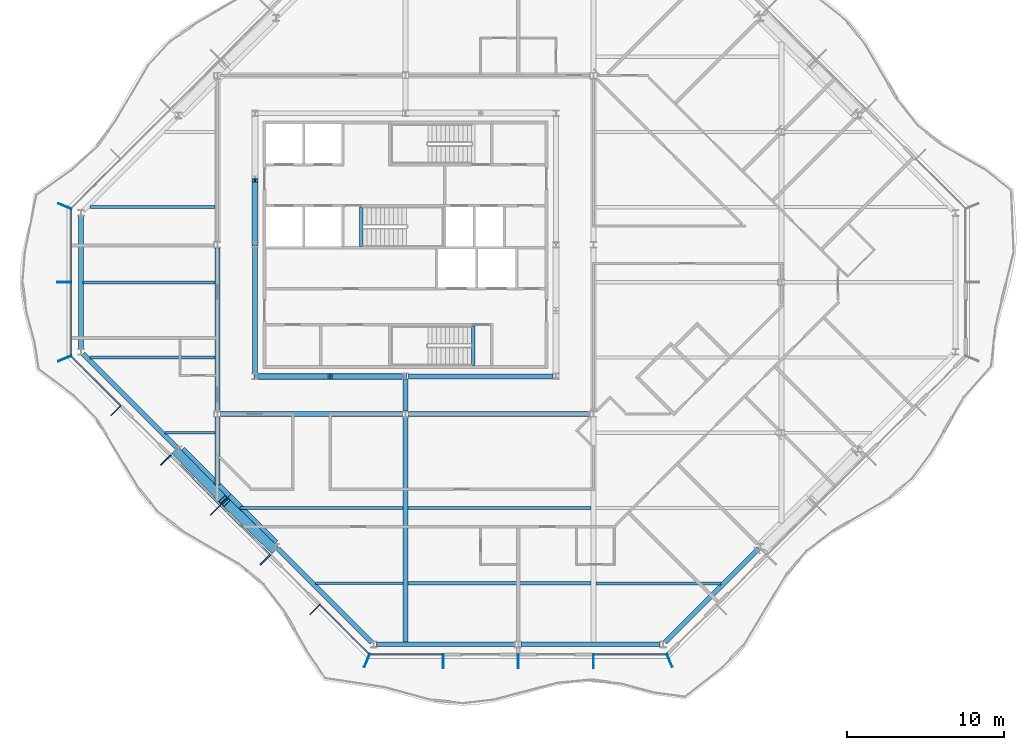
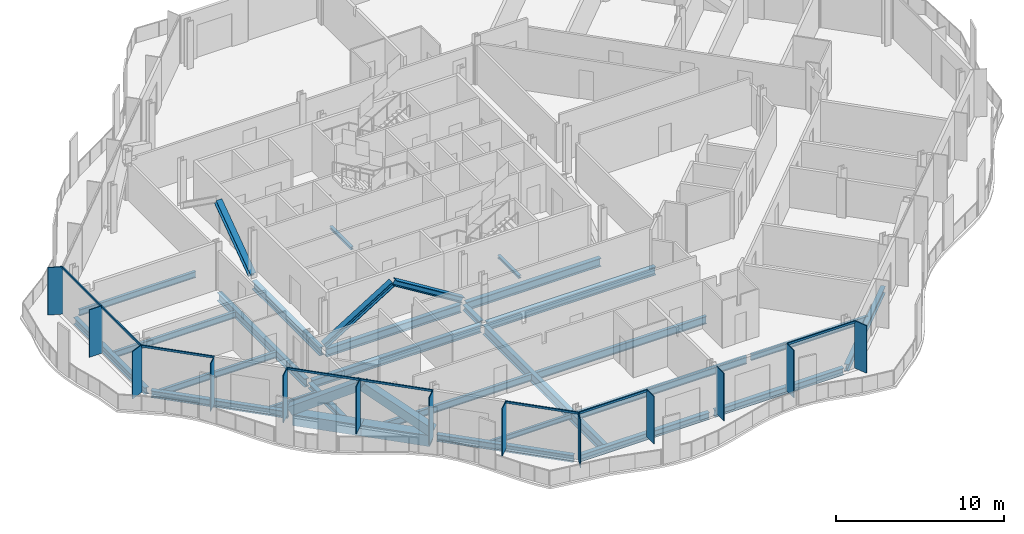
# One storey, part 3 of 17: 28 beams, 26 members, 4 elements without a shape of their own.
"""IFC4 building model written with IfcOpenShell, lengths in metres."""

import ifcopenshell
import ifcopenshell.guid

model = None  # the IFC model being written
_history = None  # IfcOwnerHistory: only IFC2X3 demands one
_inside = {}  # id of a spatial element -> (the spatial element, [elements in it])
_under = {}  # id of a project, library or spatial element -> (it, [spatial elements below it])
_declared = {}  # id of a project -> (the project, [libraries it declares])
_typed = {}  # id of a type object -> (the type object, [elements of that type])
_made_of = {}  # id of a material, layer set ... -> (it, [elements and type objects made of it])


def new_model(schema):
    """Start an empty IFC model of exactly this schema.

    Asked for "IFC4X3", IfcOpenShell would pick the latest addendum, in which some entities
    have other attributes; the version numbers below select the first issue.
    IFC2X3 requires an IfcOwnerHistory on every rooted entity: one is made here for all.
    """
    global model, _history
    if schema == "IFC4X3":
        model = ifcopenshell.file(schema_version=(4, 3, 0, 0))
    else:
        model = ifcopenshell.file(schema=schema)
    _inside.clear()
    _under.clear()
    _declared.clear()
    _typed.clear()
    _made_of.clear()
    _history = None
    if model.schema == "IFC2X3":
        org = make("IfcOrganization", Name="unknown")
        user = make(
            "IfcPersonAndOrganization",
            ThePerson=make("IfcPerson", FamilyName="unknown"),
            TheOrganization=org,
        )
        app = make(
            "IfcApplication",
            ApplicationDeveloper=org,
            Version="unknown",
            ApplicationFullName="unknown",
            ApplicationIdentifier="unknown",
        )
        _history = make(
            "IfcOwnerHistory",
            OwningUser=user,
            OwningApplication=app,
            ChangeAction="ADDED",
            CreationDate=0,
        )
    return model


def make(cls, **values):
    """One entity of the class cls with the attributes given. An attribute that is None is left unset."""
    return model.create_entity(
        cls, **{name: value for name, value in values.items() if value is not None}
    )


def rooted(cls, **values):
    """An entity with a GlobalId (a new one), such as an element, a storey or a relation."""
    return make(cls, GlobalId=ifcopenshell.guid.new(), OwnerHistory=_history, **values)


def si_unit(unit_type, name, prefix=None):
    """IfcSIUnit, for example si_unit("LENGTHUNIT", "METRE", prefix="MILLI")."""
    return make("IfcSIUnit", UnitType=unit_type, Prefix=prefix, Name=name)


def assignment(units):
    """IfcUnitAssignment: the units of a project."""
    return None if units is None else make("IfcUnitAssignment", Units=units)


def point(xyz):
    """IfcCartesianPoint."""
    return None if xyz is None else make("IfcCartesianPoint", Coordinates=xyz)


def direction(xyz):
    """IfcDirection."""
    return None if xyz is None else make("IfcDirection", DirectionRatios=xyz)


def frame(location, z_axis=None, x_axis=None):
    """IfcAxis2Placement3D, a coordinate frame: its origin and axes. An axis left out is left unset."""
    return make(
        "IfcAxis2Placement3D",
        Location=point(location),
        Axis=direction(z_axis),
        RefDirection=direction(x_axis),
    )


def frame_2d(location, x_axis=None):
    """IfcAxis2Placement2D, a coordinate frame in the plane: its origin and x axis."""
    return make(
        "IfcAxis2Placement2D", Location=point(location), RefDirection=direction(x_axis)
    )


def origin():
    """The frame at (0, 0, 0) with its axes left unset."""
    return frame((0.0, 0.0, 0.0))


def origin_2d():
    """The frame at (0, 0) in the plane with its x axis left unset."""
    return frame_2d((0.0, 0.0))


def place(relative_to, where):
    """IfcLocalPlacement: puts the frame where relative to a parent placement (None: the world)."""
    return make(
        "IfcLocalPlacement", PlacementRelTo=relative_to, RelativePlacement=where
    )


def context(
    kind, dimensions, precision=None, world=None, true_north=None, identifier=None
):
    """IfcGeometricRepresentationContext, for example the 3D "Model" context."""
    return make(
        "IfcGeometricRepresentationContext",
        ContextIdentifier=identifier,
        ContextType=kind,
        CoordinateSpaceDimension=dimensions,
        Precision=precision,
        WorldCoordinateSystem=world,
        TrueNorth=true_north,
    )


def subcontext(parent, identifier, kind, view, scale=None):
    """IfcGeometricRepresentationSubContext, for example "Body" below "Model"."""
    return make(
        "IfcGeometricRepresentationSubContext",
        ContextIdentifier=identifier,
        ContextType=kind,
        ParentContext=parent,
        TargetScale=scale,
        TargetView=view,
    )


def project(units=None, contexts=None):
    """IfcProject with its units and contexts."""
    return rooted(
        "IfcProject",
        Name="project",
        RepresentationContexts=contexts,
        UnitsInContext=assignment(units),
    )


def spatial(cls, under=None, at=None, **own):
    """A site, building, storey or space (cls), placed at a placement, below another one or the project."""
    s = rooted(cls, ObjectPlacement=at, **own)
    if under is not None:
        _under.setdefault(under.id(), (under, []))[1].append(s)
    return s


def profile(cls, at=None, kind="AREA", **sizes):
    """A parametric profile (cls). Its sizes go by their IFC names, for example OverallWidth=200.0."""
    return make(cls, ProfileType=kind, Position=at, **sizes)


def rectangle(**sizes):
    """IfcRectangleProfileDef."""
    return profile("IfcRectangleProfileDef", **sizes)


def hollow_rectangle(**sizes):
    """IfcRectangleHollowProfileDef."""
    return profile("IfcRectangleHollowProfileDef", **sizes)


def i_section(**sizes):
    """IfcIShapeProfileDef."""
    return profile("IfcIShapeProfileDef", **sizes)


def extrude(swept, where, along, depth):
    """IfcExtrudedAreaSolid: the profile swept, set in the frame where, extruded along a direction by depth."""
    return make(
        "IfcExtrudedAreaSolid",
        SweptArea=swept,
        Position=where,
        ExtrudedDirection=direction(along),
        Depth=depth,
    )


def shape(context_of_items, identifier, shape_type, items):
    """IfcShapeRepresentation: the items that make up one representation, for example the "Body"."""
    return make(
        "IfcShapeRepresentation",
        ContextOfItems=context_of_items,
        RepresentationIdentifier=identifier,
        RepresentationType=shape_type,
        Items=items,
    )


def material(Name=None, Category=None):
    """IfcMaterial."""
    return make("IfcMaterial", Name=Name, Category=Category)


def material_profile(
    of_material, cross_section, Name=None, Category=None, Priority=None
):
    """IfcMaterialProfile: a cross section and its material."""
    return make(
        "IfcMaterialProfile",
        Name=Name,
        Material=of_material,
        Profile=cross_section,
        Priority=Priority,
        Category=Category,
    )


def profile_set(profiles, Name=None, composite=None):
    """IfcMaterialProfileSet."""
    return make(
        "IfcMaterialProfileSet",
        Name=Name,
        MaterialProfiles=profiles,
        CompositeProfile=composite,
    )


def made_of(thing, what):
    """Note that an element or type object is made of a material, layer set ...; save() writes the relation."""
    if what is not None:
        _made_of.setdefault(what.id(), (what, []))[1].append(thing)
    return thing


def type_object(cls, material=None, **own):
    """A type object (cls), such as IfcWallType, which elements share."""
    return made_of(rooted(cls, **own), material)


def element(
    cls,
    number,
    at=None,
    inside=None,
    cuts=None,
    type_object=None,
    material=None,
    context=None,
    identifier="Body",
    shape_type=None,
    held_by="IfcProductDefinitionShape",
    body=None,
    shapes=None,
    **own,
):
    """One element of the class cls, such as IfcWall. Its Tag is "e" and its number.

    at: its placement. inside: the storey or other place that contains it. cuts: it is an
    opening in that element (IfcRelVoidsElement). A single representation is given by context,
    identifier, shape_type and body (its items); several are given by shapes. held_by: the class
    of the entity that holds the representations. save() writes the other relations.
    """
    e = rooted(cls, Tag="e%d" % number, ObjectPlacement=at, **own)
    if body is not None:
        shapes = [shape(context, identifier, shape_type, body)]
    if shapes is not None:
        e.Representation = make(held_by, Representations=shapes)
    if inside is not None:
        _inside.setdefault(inside.id(), (inside, []))[1].append(e)
    if cuts is not None:
        rooted(
            "IfcRelVoidsElement", RelatingBuildingElement=cuts, RelatedOpeningElement=e
        )
    if type_object is not None:
        _typed.setdefault(type_object.id(), (type_object, []))[1].append(e)
    return made_of(e, material)


def aggregate(whole, parts):
    """IfcRelAggregates: a whole, such as a stair, and the parts it consists of."""
    return rooted("IfcRelAggregates", RelatingObject=whole, RelatedObjects=parts)


def save(model, path):
    """Write the relations noted so far, then the file.

    IfcRelAggregates (storeys below a building ...), IfcRelContainedInSpatialStructure (elements
    in a storey), IfcRelDefinesByType, IfcRelAssociatesMaterial and IfcRelDeclares: one each for
    every whole, place, type object, material and project.
    """
    for whole, parts in _under.values():
        aggregate(whole, parts)
    for where, things in _inside.values():
        rooted(
            "IfcRelContainedInSpatialStructure",
            RelatedElements=things,
            RelatingStructure=where,
        )
    for kind, things in _typed.values():
        rooted("IfcRelDefinesByType", RelatedObjects=things, RelatingType=kind)
    for what, things in _made_of.values():
        rooted("IfcRelAssociatesMaterial", RelatedObjects=things, RelatingMaterial=what)
    for by, libraries in _declared.values():
        rooted("IfcRelDeclares", RelatingContext=by, RelatedDefinitions=libraries)
    model.write(path)


model = new_model("IFC4")

# Units and contexts
model_context = context("Model", 3, precision=1e-05, world=origin(), true_north=direction((0.0, 1.0)))
body_context = subcontext(model_context, "Body", "Model", "MODEL_VIEW")
ifc_project = project(units=[si_unit("LENGTHUNIT", "METRE"), si_unit("AREAUNIT", "SQUARE_METRE"), si_unit("VOLUMEUNIT", "CUBIC_METRE"), si_unit("PLANEANGLEUNIT", "RADIAN"), si_unit("MASSUNIT", "GRAM", prefix="KILO")], contexts=[model_context])

# Site, building, storey
site_placement = place(None, origin())
site = spatial("IfcSite", under=ifc_project, at=site_placement, CompositionType="ELEMENT")
building_placement = place(site_placement, origin())
building = spatial("IfcBuilding", under=site, at=building_placement, Name="Cairn Pilgrim Tower", CompositionType="ELEMENT")
storey_placement = place(building_placement, frame((0.0, 0.0, 246.60009765625)))
storey = spatial("IfcBuildingStorey", under=building, at=storey_placement, Name="L63", CompositionType="ELEMENT", Elevation=246.60009765625)

# Members
ifc_material_1 = material(Name="Structural steel S460M", Category="steel")
ifc_material_profile_1 = material_profile(ifc_material_1, hollow_rectangle(XDim=0.60009765625, YDim=0.60009765625, WallThickness=0.034912109375, at=origin_2d()), Name="BOX 600x600x35")
ifc_profile_set_1 = profile_set([ifc_material_profile_1], Name="Structural steel S460M")
member_type_1 = type_object("IfcMemberType", Name="BOX 600x600x35 BRACE", PredefinedType="BRACE", material=ifc_profile_set_1)
for number, where, z_axis, x_axis, name in (
    (1, (-7.394775390625, -10.813232421875, 0.14990234375), (0.593141693494, -0.611806144004, 0.523331800675), (0.717973624454, 0.696070308653, 0.0), "XB-SW2-SW3-1"),
    (2, (-1.213134765625, -16.99462890625, 0.14990234375), (-0.611806144004, 0.593141693494, 0.523331800675), (-0.696070308653, -0.717973624454, 0.0), "XB-SW2-SW3-2"),
):
    element("IfcMember", number, at=place(storey_placement, frame(where, z_axis=z_axis, x_axis=x_axis)), inside=storey, type_object=member_type_1, Name=name, PredefinedType="BRACE", context=body_context, shape_type="SweptSolid", body=[
        extrude(hollow_rectangle(XDim=0.60009765625, YDim=0.60009765625, WallThickness=0.034912109375, at=origin_2d()), origin(), (0.0, 0.0, 1.0), 5.035888671875),
    ])

# Beams
ifc_material_2 = material(Name="Structural steel S355J2", Category="steel")
ifc_material_profile_2 = material_profile(ifc_material_2, hollow_rectangle(XDim=0.699951171875, YDim=0.800048828125, WallThickness=0.0400390625, at=origin_2d()), Name="BOX 700x800x40")
ifc_profile_set_2 = profile_set([ifc_material_profile_2], Name="Structural steel S355J2")
beam_type_1 = type_object("IfcBeamType", Name="BOX 700x800x40 RING GIRDER", PredefinedType="SPANDREL", material=ifc_profile_set_2)
for number, where, z_axis, x_axis, name in (
    (3, (-7.147216796875, -10.780029296875, -0.550048828125), (0.707106781187, -0.707106781187, 0.0), (0.707106781187, 0.707106781187, 0.0), "RG3-SW2-SW3-1"),
    (4, (-4.16357421875, -13.763671875, -0.550048828125), (0.707106781187, -0.707106781187, 0.0), (0.707106781187, 0.707106781187, 0.0), "RG3-SW2-SW3-2"),
):
    element("IfcBeam", number, at=place(storey_placement, frame(where, z_axis=z_axis, x_axis=x_axis)), inside=storey, type_object=beam_type_1, Name=name, PredefinedType="SPANDREL", context=body_context, shape_type="SweptSolid", body=[
        extrude(hollow_rectangle(XDim=0.699951171875, YDim=0.800048828125, WallThickness=0.0400390625, at=origin_2d()), origin(), (0.0, 0.0, 1.0), 4.219482421875),
    ])

# Curtain wall, members
ifc_material_3 = material(Name="Aluminium alloy 6063-T6 bronze anodised with Bronze tinted laminated low-E glass 8+16+8.8", Category="aluminium")
curtain_wall_type_1 = type_object("IfcCurtainWallType", Name="TOWER STICK CURTAIN WALL NS", PredefinedType="NOTDEFINED", material=ifc_material_3)
curtain_wall_1_placement = place(storey_placement, origin())
curtain_wall_1 = element("IfcCurtainWall", 5, at=curtain_wall_1_placement, inside=storey, type_object=curtain_wall_type_1, Name="Tower Stick Curtain Wall Ns S", PredefinedType="NOTDEFINED")
ifc_material_4 = material(Name="Aluminium alloy 6063-T6 bronze anodised", Category="aluminium")
ifc_material_profile_3 = material_profile(ifc_material_4, rectangle(XDim=0.89990234375, YDim=0.06005859375, at=origin_2d()), Name="FIN MULLION 60x900 BRONZE")
ifc_profile_set_3 = profile_set([ifc_material_profile_3], Name="Aluminium alloy 6063-T6 bronze anodised")
member_type_2 = type_object("IfcMemberType", Name="FIN MULLION 60x900 BRONZE", PredefinedType="MULLION", material=ifc_profile_set_3)
member_1_placement = place(storey_placement, frame((4.742919921875, -24.137939453125, 0.0), z_axis=(0.0, 0.0, 1.0), x_axis=(-0.382683432365, -0.923879532511, 0.0)))
member_1 = element("IfcMember", 6, at=member_1_placement, type_object=member_type_2, Name="Fin mullion S1", PredefinedType="MULLION", context=body_context, shape_type="SweptSolid", body=[
    extrude(rectangle(XDim=0.89990234375, YDim=0.06005859375, at=origin_2d()), origin(), (0.0, 0.0, 1.0), 3.449951171875),
])
member_2_placement = place(storey_placement, frame((9.60009765625, -24.169921875, 0.0), z_axis=(0.0, 0.0, 1.0), x_axis=(0.0, -1.0, 0.0)))
member_2 = element("IfcMember", 7, at=member_2_placement, type_object=member_type_2, Name="Fin mullion S2", PredefinedType="MULLION", context=body_context, shape_type="SweptSolid", body=[
    extrude(rectangle(XDim=0.89990234375, YDim=0.06005859375, at=origin_2d()), origin(), (0.0, 0.0, 1.0), 3.449951171875),
])
member_3_placement = place(storey_placement, frame((14.39990234375, -24.169921875, 0.0), z_axis=(0.0, 0.0, 1.0), x_axis=(0.0, -1.0, 0.0)))
member_3 = element("IfcMember", 8, at=member_3_placement, type_object=member_type_2, Name="Fin mullion S3", PredefinedType="MULLION", context=body_context, shape_type="SweptSolid", body=[
    extrude(rectangle(XDim=0.89990234375, YDim=0.06005859375, at=origin_2d()), origin(), (0.0, 0.0, 1.0), 3.449951171875),
])
member_4_placement = place(storey_placement, frame((19.199951171875, -24.169921875, 0.0), z_axis=(0.0, 0.0, 1.0), x_axis=(0.0, -1.0, 0.0)))
member_4 = element("IfcMember", 9, at=member_4_placement, type_object=member_type_2, Name="Fin mullion S4", PredefinedType="MULLION", context=body_context, shape_type="SweptSolid", body=[
    extrude(rectangle(XDim=0.89990234375, YDim=0.06005859375, at=origin_2d()), origin(), (0.0, 0.0, 1.0), 3.449951171875),
])

# Curtain wall, member
curtain_wall_type_2 = type_object("IfcCurtainWallType", Name="CHAMFER CORNER CURTAIN WALL", PredefinedType="NOTDEFINED", material=ifc_material_3)
curtain_wall_2_placement = place(storey_placement, origin())
curtain_wall_2 = element("IfcCurtainWall", 10, at=curtain_wall_2_placement, inside=storey, type_object=curtain_wall_type_2, Name="Chamfer Corner Curtain Wall SE", PredefinedType="NOTDEFINED")
member_5_placement = place(storey_placement, frame((24.05712890625, -24.137939453125, 0.0), z_axis=(0.0, 0.0, 1.0), x_axis=(0.382683432365, -0.923879532511, 0.0)))
member_5 = element("IfcMember", 11, at=member_5_placement, type_object=member_type_2, Name="Fin mullion SE1", PredefinedType="MULLION", context=body_context, shape_type="SweptSolid", body=[
    extrude(rectangle(XDim=0.89990234375, YDim=0.06005859375, at=origin_2d()), origin(), (0.0, 0.0, 1.0), 3.449951171875),
])
aggregate(curtain_wall_2, [member_5])

# Curtain wall, members
curtain_wall_type_3 = type_object("IfcCurtainWallType", Name="TOWER STICK CURTAIN WALL EW", PredefinedType="NOTDEFINED", material=ifc_material_3)
curtain_wall_3_placement = place(storey_placement, origin())
curtain_wall_3 = element("IfcCurtainWall", 12, at=curtain_wall_3_placement, inside=storey, type_object=curtain_wall_type_3, Name="Tower Stick Curtain Wall Ew W", PredefinedType="NOTDEFINED")
member_6_placement = place(storey_placement, frame((-14.5380859375, 4.857177734375, 0.0), z_axis=(0.0, 0.0, 1.0), x_axis=(-0.923879532511, 0.382683432365, 0.0)))
member_6 = element("IfcMember", 13, at=member_6_placement, type_object=member_type_2, Name="Fin mullion W1", PredefinedType="MULLION", context=body_context, shape_type="SweptSolid", body=[
    extrude(rectangle(XDim=0.89990234375, YDim=0.06005859375, at=origin_2d()), origin(), (0.0, 0.0, 1.0), 3.449951171875),
])
member_7_placement = place(storey_placement, frame((-14.570068359375, 0.0, 0.0), z_axis=(0.0, 0.0, 1.0), x_axis=(-1.0, 0.0, 0.0)))
member_7 = element("IfcMember", 14, at=member_7_placement, type_object=member_type_2, Name="Fin mullion W2", PredefinedType="MULLION", context=body_context, shape_type="SweptSolid", body=[
    extrude(rectangle(XDim=0.89990234375, YDim=0.06005859375, at=origin_2d()), origin(), (0.0, 0.0, 1.0), 3.449951171875),
])

curtain_wall_4_placement = place(storey_placement, origin())
curtain_wall_4 = element("IfcCurtainWall", 15, at=curtain_wall_4_placement, inside=storey, type_object=curtain_wall_type_2, Name="Chamfer Corner Curtain Wall SW", PredefinedType="NOTDEFINED")
member_8_placement = place(storey_placement, frame((-14.5380859375, -4.857177734375, 0.0), z_axis=(0.0, 0.0, 1.0), x_axis=(-0.923879532511, -0.382683432365, 0.0)))
member_8 = element("IfcMember", 16, at=member_8_placement, type_object=member_type_2, Name="Fin mullion SW1", PredefinedType="MULLION", context=body_context, shape_type="SweptSolid", body=[
    extrude(rectangle(XDim=0.89990234375, YDim=0.06005859375, at=origin_2d()), origin(), (0.0, 0.0, 1.0), 3.449951171875),
])
member_9_placement = place(storey_placement, frame((-11.271484375, -8.1689453125, 0.0), z_axis=(0.0, 0.0, 1.0), x_axis=(-0.707106781187, -0.707106781187, 0.0)))
member_9 = element("IfcMember", 17, at=member_9_placement, type_object=member_type_2, Name="Fin mullion SW2", PredefinedType="MULLION", context=body_context, shape_type="SweptSolid", body=[
    extrude(rectangle(XDim=0.89990234375, YDim=0.06005859375, at=origin_2d()), origin(), (0.0, 0.0, 1.0), 3.449951171875),
])
member_10_placement = place(storey_placement, frame((-8.095703125, -11.3447265625, 0.0), z_axis=(0.0, 0.0, 1.0), x_axis=(-0.707106781187, -0.707106781187, 0.0)))
member_10 = element("IfcMember", 18, at=member_10_placement, type_object=member_type_2, Name="Fin mullion SW3", PredefinedType="MULLION", context=body_context, shape_type="SweptSolid", body=[
    extrude(rectangle(XDim=0.89990234375, YDim=0.06005859375, at=origin_2d()), origin(), (0.0, 0.0, 1.0), 3.449951171875),
])
member_11_placement = place(storey_placement, frame((-4.920166015625, -14.520263671875, 0.0), z_axis=(0.0, 0.0, 1.0), x_axis=(-0.707106781187, -0.707106781187, 0.0)))
member_11 = element("IfcMember", 19, at=member_11_placement, type_object=member_type_2, Name="Fin mullion SW4", PredefinedType="MULLION", context=body_context, shape_type="SweptSolid", body=[
    extrude(rectangle(XDim=0.89990234375, YDim=0.06005859375, at=origin_2d()), origin(), (0.0, 0.0, 1.0), 3.449951171875),
])
member_12_placement = place(storey_placement, frame((-1.74462890625, -17.69580078125, 0.0), z_axis=(0.0, 0.0, 1.0), x_axis=(-0.707106781187, -0.707106781187, 0.0)))
member_12 = element("IfcMember", 20, at=member_12_placement, type_object=member_type_2, Name="Fin mullion SW5", PredefinedType="MULLION", context=body_context, shape_type="SweptSolid", body=[
    extrude(rectangle(XDim=0.89990234375, YDim=0.06005859375, at=origin_2d()), origin(), (0.0, 0.0, 1.0), 3.449951171875),
])
member_13_placement = place(storey_placement, frame((1.430908203125, -20.871337890625, 0.0), z_axis=(0.0, 0.0, 1.0), x_axis=(-0.707106781187, -0.707106781187, 0.0)))
member_13 = element("IfcMember", 21, at=member_13_placement, type_object=member_type_2, Name="Fin mullion SW6", PredefinedType="MULLION", context=body_context, shape_type="SweptSolid", body=[
    extrude(rectangle(XDim=0.89990234375, YDim=0.06005859375, at=origin_2d()), origin(), (0.0, 0.0, 1.0), 3.449951171875),
])

# Members
ifc_material_profile_4 = material_profile(ifc_material_2, i_section(OverallWidth=0.39794921875, OverallDepth=0.386962890625, WebThickness=0.02099609375, FlangeThickness=0.033203125, FilletRadius=0.014892578125, at=origin_2d()), Name="HD 400x262")
ifc_profile_set_4 = profile_set([ifc_material_profile_4], Name="Structural steel S355J2")
member_type_3 = type_object("IfcMemberType", Name="HD 400x262 BRACE", PredefinedType="BRACE", material=ifc_profile_set_4)
for number, where, z_axis, x_axis, name in (
    (22, (-2.360107421875, -6.0, 0.099853515625), (0.851197168056, 0.0, 0.524846054661), (0.0, 1.0, 0.0), "KB-1A"),
    (23, (7.16015625, -6.0, 0.099853515625), (-0.851197168056, 0.0, 0.524846054661), (0.0, -1.0, 0.0), "KB-1B"),
):
    element("IfcMember", number, at=place(storey_placement, frame(where, z_axis=z_axis, x_axis=x_axis)), inside=storey, type_object=member_type_3, Name=name, PredefinedType="BRACE", context=body_context, shape_type="SweptSolid", body=[
        extrude(i_section(OverallWidth=0.39794921875, OverallDepth=0.386962890625, WebThickness=0.02099609375, FlangeThickness=0.033203125, FilletRadius=0.014892578125, at=origin_2d()), origin(), (0.0, 0.0, 1.0), 5.52978515625),
    ])
member_14_placement = place(storey_placement, frame((-2.39990234375, 2.439697265625, 0.099853515625), z_axis=(0.0, 0.814462005215, 0.580216892258), x_axis=(-1.0, 0.0, 0.0)))
element("IfcMember", 24, at=member_14_placement, inside=storey, type_object=member_type_3, Name="KB-4B", PredefinedType="BRACE", context=body_context, shape_type="SweptSolid", body=[
    extrude(i_section(OverallWidth=0.39794921875, OverallDepth=0.386962890625, WebThickness=0.02099609375, FlangeThickness=0.033203125, FilletRadius=0.014892578125, at=origin_2d()), origin(), (0.0, 0.0, 1.0), 4.999755859375),
])

# Beams
ifc_material_profile_5 = material_profile(ifc_material_2, i_section(OverallWidth=0.300048828125, OverallDepth=0.39990234375, WebThickness=0.013427734375, FlangeThickness=0.02392578125, FilletRadius=0.027099609375, at=origin_2d()), Name="HEB 400")
ifc_profile_set_5 = profile_set([ifc_material_profile_5], Name="Structural steel S355J2")
beam_type_2 = type_object("IfcBeamType", Name="HEB 400 GIRDER", PredefinedType="BEAM", material=ifc_profile_set_5)
beam_1_placement = place(storey_placement, frame((-4.800048828125, -12.945068359375, -0.35009765625), z_axis=(0.0, 1.0, 0.0), x_axis=(-1.0, 0.0, 0.0)))
element("IfcBeam", 25, at=beam_1_placement, inside=storey, type_object=beam_type_2, Name="PG2-1", PredefinedType="BEAM", context=body_context, shape_type="SweptSolid", body=[
    extrude(i_section(OverallWidth=0.300048828125, OverallDepth=0.39990234375, WebThickness=0.013427734375, FlangeThickness=0.02392578125, FilletRadius=0.027099609375, at=origin_2d()), origin(), (0.0, 0.0, 1.0), 4.34814453125),
])
beam_2_placement = place(storey_placement, frame((7.199951171875, -8.202880859375, -0.35009765625), z_axis=(0.0, 1.0, 0.0), x_axis=(-1.0, 0.0, 0.0)))
element("IfcBeam", 26, at=beam_2_placement, inside=storey, type_object=beam_type_2, Name="PG3-E1", PredefinedType="BEAM", context=body_context, shape_type="SweptSolid", body=[
    extrude(i_section(OverallWidth=0.300048828125, OverallDepth=0.39990234375, WebThickness=0.013427734375, FlangeThickness=0.02392578125, FilletRadius=0.027099609375, at=origin_2d()), origin(), (0.0, 0.0, 1.0), 2.00390625),
])
ifc_material_profile_6 = material_profile(ifc_material_2, i_section(OverallWidth=0.300048828125, OverallDepth=0.5, WebThickness=0.014404296875, FlangeThickness=0.028076171875, FilletRadius=0.027099609375, at=origin_2d()), Name="HEB 500")
ifc_profile_set_6 = profile_set([ifc_material_profile_6], Name="Structural steel S355J2")
beam_type_3 = type_object("IfcBeamType", Name="HEB 500 RING GIRDER", PredefinedType="SPANDREL", material=ifc_profile_set_6)
beam_3_placement = place(storey_placement, frame((5.3544921875, -23.10009765625, -0.400146484375), z_axis=(1.0, 0.0, 0.0), x_axis=(0.0, 1.0, 0.0)))
element("IfcBeam", 27, at=beam_3_placement, inside=storey, type_object=beam_type_3, Name="RG3-S1-S2", PredefinedType="SPANDREL", context=body_context, shape_type="SweptSolid", body=[
    extrude(i_section(OverallWidth=0.300048828125, OverallDepth=0.5, WebThickness=0.014404296875, FlangeThickness=0.028076171875, FilletRadius=0.027099609375, at=origin_2d()), origin(), (0.0, 0.0, 1.0), 8.86376953125),
])
beam_4_placement = place(storey_placement, frame((14.581787109375, -23.10009765625, -0.400146484375), z_axis=(1.0, 0.0, 0.0), x_axis=(0.0, 1.0, 0.0)))
element("IfcBeam", 28, at=beam_4_placement, inside=storey, type_object=beam_type_3, Name="RG3-S2-SE1", PredefinedType="SPANDREL", context=body_context, shape_type="SweptSolid", body=[
    extrude(i_section(OverallWidth=0.300048828125, OverallDepth=0.5, WebThickness=0.014404296875, FlangeThickness=0.028076171875, FilletRadius=0.027099609375, at=origin_2d()), origin(), (0.0, 0.0, 1.0), 8.863525390625),
])
beam_5_placement = place(storey_placement, frame((23.755859375, -22.971435546875, -0.400146484375), z_axis=(0.707106781187, 0.707106781187, 0.0), x_axis=(-0.707106781187, 0.707106781187, 0.0)))
element("IfcBeam", 29, at=beam_5_placement, inside=storey, type_object=beam_type_3, Name="RG3-SE1-SE2", PredefinedType="SPANDREL", context=body_context, shape_type="SweptSolid", body=[
    extrude(i_section(OverallWidth=0.300048828125, OverallDepth=0.5, WebThickness=0.014404296875, FlangeThickness=0.028076171875, FilletRadius=0.027099609375, at=origin_2d()), origin(), (0.0, 0.0, 1.0), 8.438720703125),
])
beam_6_placement = place(storey_placement, frame((-13.5, 4.245361328125, -0.400146484375), z_axis=(0.0, -1.0, 0.0), x_axis=(1.0, 0.0, 0.0)))
element("IfcBeam", 30, at=beam_6_placement, inside=storey, type_object=beam_type_3, Name="RG3-W1-SW1", PredefinedType="SPANDREL", context=body_context, shape_type="SweptSolid", body=[
    extrude(i_section(OverallWidth=0.300048828125, OverallDepth=0.5, WebThickness=0.014404296875, FlangeThickness=0.028076171875, FilletRadius=0.027099609375, at=origin_2d()), origin(), (0.0, 0.0, 1.0), 8.49072265625),
])
for number, where, z_axis, x_axis, name in (
    (31, (-13.371337890625, -4.555908203125, -0.400146484375), (0.707106781187, -0.707106781187, 0.0), (0.707106781187, 0.707106781187, 0.0), "RG3-SW1-SW2"),
    (32, (-0.9228515625, -17.00439453125, -0.400146484375), (0.707106781187, -0.707106781187, 0.0), (0.707106781187, 0.707106781187, 0.0), "RG3-SW3-S1"),
):
    element("IfcBeam", number, at=place(storey_placement, frame(where, z_axis=z_axis, x_axis=x_axis)), inside=storey, type_object=beam_type_3, Name=name, PredefinedType="SPANDREL", context=body_context, shape_type="SweptSolid", body=[
        extrude(i_section(OverallWidth=0.300048828125, OverallDepth=0.5, WebThickness=0.014404296875, FlangeThickness=0.028076171875, FilletRadius=0.027099609375, at=origin_2d()), origin(), (0.0, 0.0, 1.0), 8.438720703125),
    ])
ifc_material_profile_7 = material_profile(ifc_material_2, i_section(OverallWidth=0.300048828125, OverallDepth=0.60009765625, WebThickness=0.015380859375, FlangeThickness=0.030029296875, FilletRadius=0.027099609375, at=origin_2d()), Name="HEB 600")
ifc_profile_set_7 = profile_set([ifc_material_profile_7], Name="Structural steel S355J2")
beam_type_4 = type_object("IfcBeamType", Name="HEB 600 CORE BEAM", PredefinedType="BEAM", material=ifc_profile_set_7)
beam_7_placement = place(storey_placement, frame((-2.220947265625, -6.0, -0.4501953125), z_axis=(1.0, 0.0, 0.0), x_axis=(0.0, 1.0, 0.0)))
element("IfcBeam", 33, at=beam_7_placement, inside=storey, type_object=beam_type_4, Name="CB-1", PredefinedType="BEAM", context=body_context, shape_type="SweptSolid", body=[
    extrude(i_section(OverallWidth=0.300048828125, OverallDepth=0.60009765625, WebThickness=0.015380859375, FlangeThickness=0.030029296875, FilletRadius=0.027099609375, at=origin_2d()), origin(), (0.0, 0.0, 1.0), 9.241943359375),
])
beam_8_placement = place(storey_placement, frame((7.379150390625, -6.0, -0.4501953125), z_axis=(1.0, 0.0, 0.0), x_axis=(0.0, 1.0, 0.0)))
element("IfcBeam", 34, at=beam_8_placement, inside=storey, type_object=beam_type_4, Name="CB-2", PredefinedType="BEAM", context=body_context, shape_type="SweptSolid", body=[
    extrude(i_section(OverallWidth=0.300048828125, OverallDepth=0.60009765625, WebThickness=0.015380859375, FlangeThickness=0.030029296875, FilletRadius=0.027099609375, at=origin_2d()), origin(), (0.0, 0.0, 1.0), 9.24169921875),
])
beam_9_placement = place(storey_placement, frame((-2.39990234375, 2.220947265625, -0.4501953125), z_axis=(0.0, -1.0, 0.0), x_axis=(1.0, 0.0, 0.0)))
element("IfcBeam", 35, at=beam_9_placement, inside=storey, type_object=beam_type_4, Name="CB-8", PredefinedType="BEAM", context=body_context, shape_type="SweptSolid", body=[
    extrude(i_section(OverallWidth=0.300048828125, OverallDepth=0.60009765625, WebThickness=0.015380859375, FlangeThickness=0.030029296875, FilletRadius=0.027099609375, at=origin_2d()), origin(), (0.0, 0.0, 1.0), 8.041748046875),
])
ifc_material_profile_8 = material_profile(ifc_material_2, i_section(OverallWidth=0.300048828125, OverallDepth=0.60009765625, WebThickness=0.015380859375, FlangeThickness=0.030029296875, FilletRadius=0.027099609375, at=origin_2d()), Name="HEB 600")
ifc_profile_set_8 = profile_set([ifc_material_profile_8], Name="Structural steel S355J2")
beam_type_5 = type_object("IfcBeamType", Name="HEB 600 GIRDER", PredefinedType="BEAM", material=ifc_profile_set_8)
beam_10_placement = place(storey_placement, frame((-4.800048828125, -8.202880859375, -0.4501953125), z_axis=(0.0, 1.0, 0.0), x_axis=(-1.0, 0.0, 0.0)))
element("IfcBeam", 36, at=beam_10_placement, inside=storey, type_object=beam_type_5, Name="PG2-2", PredefinedType="BEAM", context=body_context, shape_type="SweptSolid", body=[
    extrude(i_section(OverallWidth=0.300048828125, OverallDepth=0.60009765625, WebThickness=0.015380859375, FlangeThickness=0.030029296875, FilletRadius=0.027099609375, at=origin_2d()), origin(), (0.0, 0.0, 1.0), 10.40576171875),
])
ifc_material_profile_9 = material_profile(ifc_material_2, i_section(OverallWidth=0.300048828125, OverallDepth=0.60009765625, WebThickness=0.015380859375, FlangeThickness=0.030029296875, FilletRadius=0.027099609375, at=origin_2d()), Name="HEB 600")
ifc_profile_set_9 = profile_set([ifc_material_profile_9], Name="Structural steel S355J2")
beam_type_6 = type_object("IfcBeamType", Name="HEB 600 INNER GIRDER", PredefinedType="BEAM", material=ifc_profile_set_9)
for number, where, z_axis, x_axis, name in (
    (37, (-4.60302734375, -8.39990234375, -0.4501953125), (1.0, 0.0, 0.0), (0.0, 1.0, 0.0), "IG1-1"),
    (38, (7.39697265625, -8.39990234375, -0.4501953125), (1.0, 0.0, 0.0), (0.0, 1.0, 0.0), "IG1-2"),
):
    element("IfcBeam", number, at=place(storey_placement, frame(where, z_axis=z_axis, x_axis=x_axis)), inside=storey, type_object=beam_type_6, Name=name, PredefinedType="BEAM", context=body_context, shape_type="SweptSolid", body=[
        extrude(i_section(OverallWidth=0.300048828125, OverallDepth=0.60009765625, WebThickness=0.015380859375, FlangeThickness=0.030029296875, FilletRadius=0.027099609375, at=origin_2d()), origin(), (0.0, 0.0, 1.0), 11.60595703125),
    ])
ifc_material_profile_10 = material_profile(ifc_material_2, i_section(OverallWidth=0.300048828125, OverallDepth=0.699951171875, WebThickness=0.01708984375, FlangeThickness=0.031982421875, FilletRadius=0.027099609375, at=origin_2d()), Name="HEB 700")
ifc_profile_set_10 = profile_set([ifc_material_profile_10], Name="Structural steel S355J2")
beam_type_7 = type_object("IfcBeamType", Name="HEB 700 GIRDER", PredefinedType="BEAM", material=ifc_profile_set_10)
beam_11_placement = place(storey_placement, frame((7.199951171875, -22.97998046875, -0.5), z_axis=(0.0, 1.0, 0.0), x_axis=(-1.0, 0.0, 0.0)))
element("IfcBeam", 39, at=beam_11_placement, inside=storey, type_object=beam_type_7, Name="PG3-1", PredefinedType="BEAM", context=body_context, shape_type="SweptSolid", body=[
    extrude(i_section(OverallWidth=0.300048828125, OverallDepth=0.699951171875, WebThickness=0.01708984375, FlangeThickness=0.031982421875, FilletRadius=0.027099609375, at=origin_2d()), origin(), (0.0, 0.0, 1.0), 14.383056640625),
])
ifc_material_profile_11 = material_profile(ifc_material_2, i_section(OverallWidth=0.169921875, OverallDepth=0.360107421875, WebThickness=0.008056640625, FlangeThickness=0.0126953125, FilletRadius=0.01806640625, at=origin_2d()), Name="IPE 360")
ifc_profile_set_11 = profile_set([ifc_material_profile_11], Name="Structural steel S355J2")
beam_type_8 = type_object("IfcBeamType", Name="IPE 360 SECONDARY BEAM", PredefinedType="JOIST", material=ifc_profile_set_11)
beam_12_placement = place(storey_placement, frame((1.454833984375, -19.199951171875, -0.330078125), z_axis=(1.0, 0.0, 0.0), x_axis=(0.0, 1.0, 0.0)))
element("IfcBeam", 40, at=beam_12_placement, inside=storey, type_object=beam_type_8, Name="SB1-1", PredefinedType="JOIST", context=body_context, shape_type="SweptSolid", body=[
    extrude(i_section(OverallWidth=0.169921875, OverallDepth=0.360107421875, WebThickness=0.008056640625, FlangeThickness=0.0126953125, FilletRadius=0.01806640625, at=origin_2d()), origin(), (0.0, 0.0, 1.0), 5.59521484375),
])
beam_13_placement = place(storey_placement, frame((-8.14501953125, -9.60009765625, -0.330078125), z_axis=(1.0, 0.0, 0.0), x_axis=(0.0, 1.0, 0.0)))
element("IfcBeam", 41, at=beam_13_placement, inside=storey, type_object=beam_type_8, Name="SB3-1", PredefinedType="JOIST", context=body_context, shape_type="SweptSolid", body=[
    extrude(i_section(OverallWidth=0.169921875, OverallDepth=0.360107421875, WebThickness=0.008056640625, FlangeThickness=0.0126953125, FilletRadius=0.01806640625, at=origin_2d()), origin(), (0.0, 0.0, 1.0), 3.195068359375),
])
ifc_material_profile_12 = material_profile(ifc_material_2, i_section(OverallWidth=0.18994140625, OverallDepth=0.449951171875, WebThickness=0.009521484375, FlangeThickness=0.0146484375, FilletRadius=0.02099609375, at=origin_2d()), Name="IPE 450")
ifc_profile_set_12 = profile_set([ifc_material_profile_12], Name="Structural steel S355J2")
beam_type_9 = type_object("IfcBeamType", Name="IPE 450 SECONDARY BEAM", PredefinedType="JOIST", material=ifc_profile_set_12)
for number, where, z_axis, x_axis, name in (
    (42, (19.35009765625, -19.199951171875, -0.375), (1.0, 0.0, 0.0), (0.0, 1.0, 0.0), "SB1-3"),
    (43, (-12.945068359375, -4.800048828125, -0.375), (1.0, 0.0, 0.0), (0.0, 1.0, 0.0), "SB4-1"),
):
    element("IfcBeam", number, at=place(storey_placement, frame(where, z_axis=z_axis, x_axis=x_axis)), inside=storey, type_object=beam_type_9, Name=name, PredefinedType="JOIST", context=body_context, shape_type="SweptSolid", body=[
        extrude(i_section(OverallWidth=0.18994140625, OverallDepth=0.449951171875, WebThickness=0.009521484375, FlangeThickness=0.0146484375, FilletRadius=0.02099609375, at=origin_2d()), origin(), (0.0, 0.0, 1.0), 7.9951171875),
    ])
beam_14_placement = place(storey_placement, frame((-13.3798828125, 0.0, -0.375), z_axis=(1.0, 0.0, 0.0), x_axis=(0.0, 1.0, 0.0)))
element("IfcBeam", 44, at=beam_14_placement, inside=storey, type_object=beam_type_9, Name="SB5-1", PredefinedType="JOIST", context=body_context, shape_type="SweptSolid", body=[
    extrude(i_section(OverallWidth=0.18994140625, OverallDepth=0.449951171875, WebThickness=0.009521484375, FlangeThickness=0.0146484375, FilletRadius=0.02099609375, at=origin_2d()), origin(), (0.0, 0.0, 1.0), 8.429931640625),
])
beam_15_placement = place(storey_placement, frame((-12.945068359375, 4.800048828125, -0.375), z_axis=(1.0, 0.0, 0.0), x_axis=(0.0, 1.0, 0.0)))
element("IfcBeam", 45, at=beam_15_placement, inside=storey, type_object=beam_type_9, Name="SB6-1", PredefinedType="JOIST", context=body_context, shape_type="SweptSolid", body=[
    extrude(i_section(OverallWidth=0.18994140625, OverallDepth=0.449951171875, WebThickness=0.009521484375, FlangeThickness=0.0146484375, FilletRadius=0.02099609375, at=origin_2d()), origin(), (0.0, 0.0, 1.0), 7.9951171875),
])
ifc_material_profile_13 = material_profile(ifc_material_2, i_section(OverallWidth=0.199951171875, OverallDepth=0.5, WebThickness=0.01025390625, FlangeThickness=0.01611328125, FilletRadius=0.02099609375, at=origin_2d()), Name="IPE 500")
ifc_profile_set_13 = profile_set([ifc_material_profile_13], Name="Structural steel S355J2")
beam_type_10 = type_object("IfcBeamType", Name="IPE 500 SECONDARY BEAM", PredefinedType="JOIST", material=ifc_profile_set_13)
beam_16_placement = place(storey_placement, frame((-3.34521484375, -14.39990234375, -0.400146484375), z_axis=(1.0, 0.0, 0.0), x_axis=(0.0, 1.0, 0.0)))
element("IfcBeam", 46, at=beam_16_placement, inside=storey, type_object=beam_type_10, Name="SB2-1", PredefinedType="JOIST", context=body_context, shape_type="SweptSolid", body=[
    extrude(i_section(OverallWidth=0.199951171875, OverallDepth=0.5, WebThickness=0.01025390625, FlangeThickness=0.01611328125, FilletRadius=0.02099609375, at=origin_2d()), origin(), (0.0, 0.0, 1.0), 10.395263671875),
])
ifc_material_profile_14 = material_profile(ifc_material_2, i_section(OverallWidth=0.2099609375, OverallDepth=0.550048828125, WebThickness=0.010986328125, FlangeThickness=0.01708984375, FilletRadius=0.02392578125, at=origin_2d()), Name="IPE 550")
ifc_profile_set_14 = profile_set([ifc_material_profile_14], Name="Structural steel S355J2")
beam_type_11 = type_object("IfcBeamType", Name="IPE 550 SECONDARY BEAM", PredefinedType="JOIST", material=ifc_profile_set_14)
for number, where, z_axis, x_axis, name in (
    (47, (7.35009765625, -19.199951171875, -0.425048828125), (1.0, 0.0, 0.0), (0.0, 1.0, 0.0), "SB1-2"),
    (48, (7.35009765625, -14.39990234375, -0.425048828125), (1.0, 0.0, 0.0), (0.0, 1.0, 0.0), "SB2-2"),
):
    element("IfcBeam", number, at=place(storey_placement, frame(where, z_axis=z_axis, x_axis=x_axis)), inside=storey, type_object=beam_type_11, Name=name, PredefinedType="JOIST", context=body_context, shape_type="SweptSolid", body=[
        extrude(i_section(OverallWidth=0.2099609375, OverallDepth=0.550048828125, WebThickness=0.010986328125, FlangeThickness=0.01708984375, FilletRadius=0.02392578125, at=origin_2d()), origin(), (0.0, 0.0, 1.0), 11.699951171875),
    ])
ifc_material_profile_15 = material_profile(ifc_material_2, i_section(OverallWidth=0.199951171875, OverallDepth=0.199951171875, WebThickness=0.009033203125, FlangeThickness=0.014892578125, FilletRadius=0.01806640625, at=origin_2d()), Name="HE 200 B")
ifc_profile_set_15 = profile_set([ifc_material_profile_15], Name="Structural steel S355J2")
beam_type_12 = type_object("IfcBeamType", Name="STAIR LANDING BEAM HE 200 B", PredefinedType="BEAM", material=ifc_profile_set_15)
beam_17_placement = place(storey_placement, frame((11.5244140625, -2.77490234375, -0.25), z_axis=(0.0, -1.0, 0.0), x_axis=(1.0, 0.0, 0.0)))
element("IfcBeam", 49, at=beam_17_placement, inside=storey, type_object=beam_type_12, Name="STAIR LANDING BEAM LD-HE200B", PredefinedType="BEAM", context=body_context, shape_type="SweptSolid", body=[
    extrude(i_section(OverallWidth=0.199951171875, OverallDepth=0.199951171875, WebThickness=0.009033203125, FlangeThickness=0.014892578125, FilletRadius=0.01806640625, at=origin_2d()), origin(), (0.0, 0.0, 1.0), 2.525146484375),
])
beam_18_placement = place(storey_placement, frame((4.37548828125, 2.27490234375, -0.25), z_axis=(0.0, 1.0, 0.0), x_axis=(-1.0, 0.0, 0.0)))
element("IfcBeam", 50, at=beam_18_placement, inside=storey, type_object=beam_type_12, Name="STAIR LANDING BEAM LD-HE200B", PredefinedType="BEAM", context=body_context, shape_type="SweptSolid", body=[
    extrude(i_section(OverallWidth=0.199951171875, OverallDepth=0.199951171875, WebThickness=0.009033203125, FlangeThickness=0.014892578125, FilletRadius=0.01806640625, at=origin_2d()), origin(), (0.0, 0.0, 1.0), 2.550048828125),
])

# Member
ifc_material_profile_16 = material_profile(ifc_material_4, rectangle(XDim=0.080078125, YDim=0.14990234375, at=origin_2d()), Name="TRANSOM 80x150 BRONZE")
ifc_profile_set_16 = profile_set([ifc_material_profile_16], Name="Aluminium alloy 6063-T6 bronze anodised")
member_type_4 = type_object("IfcMemberType", Name="TRANSOM 80x150 BRONZE", PredefinedType="USERDEFINED", material=ifc_profile_set_16)
member_15_placement = place(storey_placement, frame((4.943603515625, -23.75, 3.375), z_axis=(1.0, 0.0, 0.0), x_axis=(0.0, 1.0, 0.0)))
member_15 = element("IfcMember", 51, at=member_15_placement, type_object=member_type_4, Name="Transom S1", ObjectType="TRANSOM", PredefinedType="USERDEFINED", context=body_context, shape_type="SweptSolid", body=[
    extrude(rectangle(XDim=0.080078125, YDim=0.14990234375, at=origin_2d()), origin(), (0.0, 0.0, 1.0), 4.62646484375),
])

member_16_placement = place(storey_placement, frame((19.22998046875, -23.75, 3.375), z_axis=(1.0, 0.0, 0.0), x_axis=(0.0, 1.0, 0.0)))
member_16 = element("IfcMember", 52, at=member_16_placement, type_object=member_type_4, Name="Transom S4", ObjectType="TRANSOM", PredefinedType="USERDEFINED", context=body_context, shape_type="SweptSolid", body=[
    extrude(rectangle(XDim=0.080078125, YDim=0.14990234375, at=origin_2d()), origin(), (0.0, 0.0, 1.0), 4.62646484375),
])

aggregate(curtain_wall_1, [member_1, member_2, member_3, member_4, member_15, member_16])

member_17_placement = place(storey_placement, frame((-14.14990234375, 4.656494140625, 3.375), z_axis=(0.0, -1.0, 0.0), x_axis=(1.0, 0.0, 0.0)))
member_17 = element("IfcMember", 53, at=member_17_placement, type_object=member_type_4, Name="Transom W1", ObjectType="TRANSOM", PredefinedType="USERDEFINED", context=body_context, shape_type="SweptSolid", body=[
    extrude(rectangle(XDim=0.080078125, YDim=0.14990234375, at=origin_2d()), origin(), (0.0, 0.0, 1.0), 4.62646484375),
])

member_18_placement = place(storey_placement, frame((-14.14990234375, -0.030029296875, 3.375), z_axis=(0.0, -1.0, 0.0), x_axis=(1.0, 0.0, 0.0)))
member_18 = element("IfcMember", 54, at=member_18_placement, type_object=member_type_4, Name="Transom W2", ObjectType="TRANSOM", PredefinedType="USERDEFINED", context=body_context, shape_type="SweptSolid", body=[
    extrude(rectangle(XDim=0.080078125, YDim=0.14990234375, at=origin_2d()), origin(), (0.0, 0.0, 1.0), 4.62646484375),
])

aggregate(curtain_wall_3, [member_6, member_7, member_17, member_18])

member_19_placement = place(storey_placement, frame((-14.121826171875, -4.724609375, 3.375), z_axis=(0.707106781187, -0.707106781187, 0.0), x_axis=(0.707106781187, 0.707106781187, 0.0)))
member_19 = element("IfcMember", 55, at=member_19_placement, type_object=member_type_4, Name="Transom SW1", ObjectType="TRANSOM", PredefinedType="USERDEFINED", context=body_context, shape_type="SweptSolid", body=[
    extrude(rectangle(XDim=0.080078125, YDim=0.14990234375, at=origin_2d()), origin(), (0.0, 0.0, 1.0), 4.421142578125),
])

member_20_placement = place(storey_placement, frame((-7.777587890625, -11.06884765625, 3.375), z_axis=(0.707106781187, -0.707106781187, 0.0), x_axis=(0.707106781187, 0.707106781187, 0.0)))
member_20 = element("IfcMember", 56, at=member_20_placement, type_object=member_type_4, Name="Transom SW3", ObjectType="TRANSOM", PredefinedType="USERDEFINED", context=body_context, shape_type="SweptSolid", body=[
    extrude(rectangle(XDim=0.080078125, YDim=0.14990234375, at=origin_2d()), origin(), (0.0, 0.0, 1.0), 4.430908203125),
])

member_21_placement = place(storey_placement, frame((-4.60205078125, -14.244384765625, 3.375), z_axis=(0.707106781187, -0.707106781187, 0.0), x_axis=(0.707106781187, 0.707106781187, 0.0)))
member_21 = element("IfcMember", 57, at=member_21_placement, type_object=member_type_4, Name="Transom SW4", ObjectType="TRANSOM", PredefinedType="USERDEFINED", context=body_context, shape_type="SweptSolid", body=[
    extrude(rectangle(XDim=0.080078125, YDim=0.14990234375, at=origin_2d()), origin(), (0.0, 0.0, 1.0), 4.43115234375),
])

member_22_placement = place(storey_placement, frame((1.749267578125, -20.595703125, 3.375), z_axis=(0.707106781187, -0.707106781187, 0.0), x_axis=(0.707106781187, 0.707106781187, 0.0)))
member_22 = element("IfcMember", 58, at=member_22_placement, type_object=member_type_4, Name="Transom SW6", ObjectType="TRANSOM", PredefinedType="USERDEFINED", context=body_context, shape_type="SweptSolid", body=[
    extrude(rectangle(XDim=0.080078125, YDim=0.14990234375, at=origin_2d()), origin(), (0.0, 0.0, 1.0), 4.4208984375),
])

aggregate(curtain_wall_4, [member_8, member_9, member_10, member_11, member_12, member_13, member_19, member_20, member_21, member_22])

save(model, "model.ifc")
